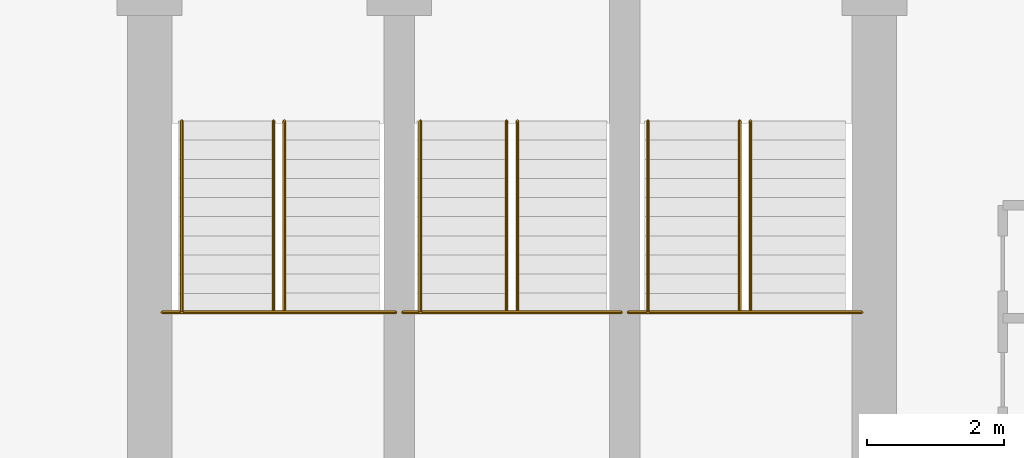
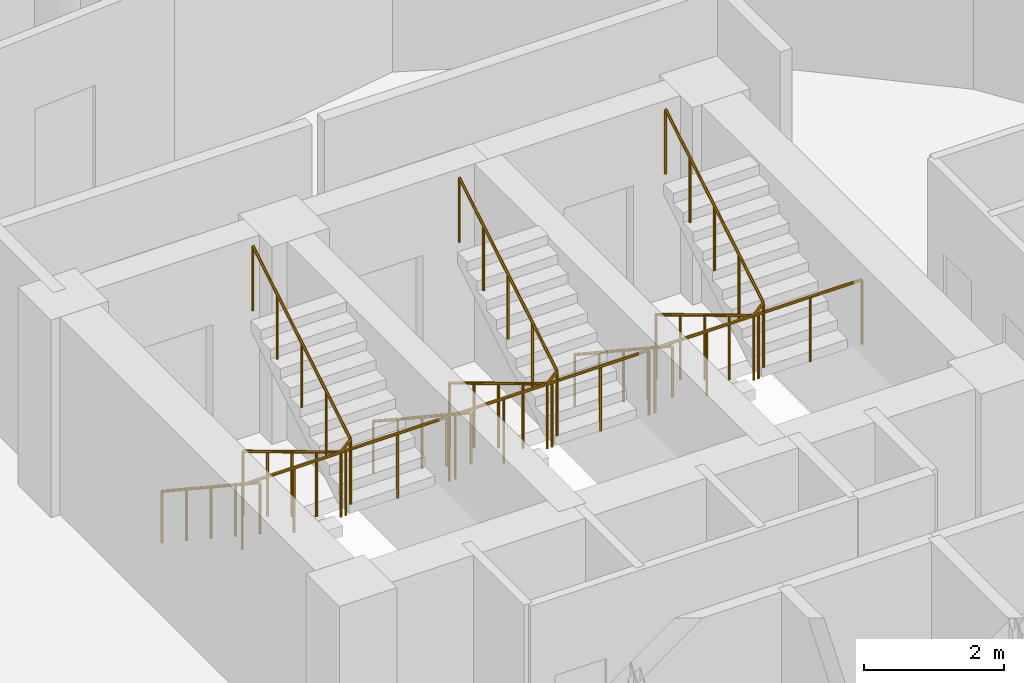
# One storey, part 26 of 26: 9 railings.
"""IFC4 building model written with IfcOpenShell, lengths in metres."""

from ifc_helpers import new_model, si_unit, direction, frame, origin, place, context, subcontext, project, spatial, polyline, outline, extrude, material, type_object, element, save


model = new_model("IFC4")

# Units and contexts
model_context = context("Model", 3, precision=1e-05, world=origin(), true_north=direction((0.0, 1.0)))
body_context = subcontext(model_context, "Body", "Model", "MODEL_VIEW")
ifc_project = project(units=[si_unit("LENGTHUNIT", "METRE"), si_unit("AREAUNIT", "SQUARE_METRE"), si_unit("VOLUMEUNIT", "CUBIC_METRE"), si_unit("PLANEANGLEUNIT", "RADIAN"), si_unit("MASSUNIT", "GRAM", prefix="KILO")], contexts=[model_context])

# Site, building, storey
site_placement = place(None, origin())
site = spatial("IfcSite", under=ifc_project, at=site_placement, CompositionType="ELEMENT")
building_placement = place(site_placement, origin())
building = spatial("IfcBuilding", under=site, at=building_placement, Name="Nuhasar Tower", CompositionType="ELEMENT")
storey_placement = place(building_placement, frame((0.0, 0.0, 162.64990234375)))
storey = spatial("IfcBuildingStorey", under=building, at=storey_placement, Name="L39", CompositionType="ELEMENT", Elevation=162.64990234375)

# Railings
ifc_material_1 = material(Name="Steel S355", Category="steel")
railing_type_1 = type_object("IfcRailingType", Name="RLG-STAIR-GUARD-1150", PredefinedType="GUARDRAIL", material=ifc_material_1)
railing_1_placement = place(storey_placement, frame((33.8798828125, 32.485107421875, 1.85009765625)))
element("IfcRailing", 1, at=railing_1_placement, inside=storey, type_object=railing_type_1, Name="L39 Stair ST-01 Guardrail LND", PredefinedType="GUARDRAIL", context=body_context, shape_type="SweptSolid", body=[
    extrude(outline(polyline([(0.024169921875, 0.0), (0.01708984375, 0.01708984375), (0.0, 0.024169921875), (-0.01708984375, 0.01708984375), (-0.024169921875, 0.0), (-0.01708984375, -0.01708984375), (0.0, -0.024169921875), (0.01708984375, -0.01708984375), (0.024169921875, 0.0)])), frame((0.0, 0.0, 1.1259765625), z_axis=(1.0, 0.0, 0.0), x_axis=(0.0, 1.0, 0.0)), (0.0, 0.0, 1.0), 3.420166015625),
    extrude(outline(polyline([(0.02099609375, 0.0), (0.014892578125, 0.014892578125), (0.0, 0.02099609375), (-0.014892578125, 0.014892578125), (-0.02099609375, 0.0), (-0.014892578125, -0.014892578125), (0.0, -0.02099609375), (0.014892578125, -0.014892578125), (0.02099609375, 0.0)])), origin(), (0.0, 0.0, 1.0), 1.101806640625),
    extrude(outline(polyline([(0.02099609375, 0.0), (0.014892578125, 0.014892578125), (0.0, 0.02099609375), (-0.014892578125, 0.014892578125), (-0.02099609375, 0.0), (-0.014892578125, -0.014892578125), (0.0, -0.02099609375), (0.014892578125, -0.014892578125), (0.02099609375, 0.0)])), frame((0.85498046875, 0.0, 0.0)), (0.0, 0.0, 1.0), 1.101806640625),
    extrude(outline(polyline([(0.02099609375, 0.0), (0.014892578125, 0.014892578125), (0.0, 0.02099609375), (-0.014892578125, 0.014892578125), (-0.02099609375, 0.0), (-0.014892578125, -0.014892578125), (0.0, -0.02099609375), (0.014892578125, -0.014892578125), (0.02099609375, 0.0)])), frame((1.7099609375, 0.0, 0.0)), (0.0, 0.0, 1.0), 1.101806640625),
    extrude(outline(polyline([(0.02099609375, 0.0), (0.014892578125, 0.014892578125), (0.0, 0.02099609375), (-0.014892578125, 0.014892578125), (-0.02099609375, 0.0), (-0.014892578125, -0.014892578125), (0.0, -0.02099609375), (0.014892578125, -0.014892578125), (0.02099609375, 0.0)])), frame((2.565185546875, 0.0, 0.0)), (0.0, 0.0, 1.0), 1.101806640625),
    extrude(outline(polyline([(0.02099609375, 0.0), (0.014892578125, 0.014892578125), (0.0, 0.02099609375), (-0.014892578125, 0.014892578125), (-0.02099609375, 0.0), (-0.014892578125, -0.014892578125), (0.0, -0.02099609375), (0.014892578125, -0.014892578125), (0.02099609375, 0.0)])), frame((3.420166015625, 0.0, 0.0)), (0.0, 0.0, 1.0), 1.101806640625),
])
railing_2_placement = place(storey_placement, frame((35.510009765625, 35.284912109375, 0.168212890625)))
element("IfcRailing", 2, at=railing_2_placement, inside=storey, type_object=railing_type_1, Name="L39 Stair ST-01 Guardrail SLT", PredefinedType="GUARDRAIL", context=body_context, shape_type="SweptSolid", body=[
    extrude(outline(polyline([(0.024169921875, 0.0), (0.01708984375, 0.01708984375), (0.0, 0.024169921875), (-0.01708984375, 0.01708984375), (-0.024169921875, 0.0), (-0.01708984375, -0.01708984375), (0.0, -0.024169921875), (0.01708984375, -0.01708984375), (0.024169921875, 0.0)])), frame((0.0, 0.0, 1.1259765625), z_axis=(0.0, -0.857222391501, 0.514946377315), x_axis=(1.0, 0.0, 0.0)), (0.0, 0.0, 1.0), 3.26611328125),
    extrude(outline(polyline([(0.024169921875, 0.0), (0.01708984375, 0.01708984375), (0.0, 0.024169921875), (-0.01708984375, 0.01708984375), (-0.024169921875, 0.0), (-0.01708984375, -0.01708984375), (0.0, -0.024169921875), (0.01708984375, -0.01708984375), (0.024169921875, 0.0)])), frame((0.0, -2.7998046875, 2.8076171875), z_axis=(0.689523729023, 0.0, 0.72426309247), x_axis=(0.0, 1.0, 0.0)), (0.0, 0.0, 1.0), 0.23193359375),
    extrude(outline(polyline([(0.024169921875, 0.0), (0.01708984375, 0.01708984375), (0.0, 0.024169921875), (-0.01708984375, 0.01708984375), (-0.024169921875, 0.0), (-0.01708984375, -0.01708984375), (0.0, -0.024169921875), (0.01708984375, -0.01708984375), (0.024169921875, 0.0)])), frame((0.159912109375, -2.7998046875, 2.9755859375), z_axis=(0.0, 0.857189395008, 0.515001302023), x_axis=(-1.0, 0.0, 0.0)), (0.0, 0.0, 1.0), 3.266357421875),
    extrude(outline(polyline([(0.02099609375, 0.0), (0.014892578125, 0.014892578125), (0.0, 0.02099609375), (-0.014892578125, 0.014892578125), (-0.02099609375, 0.0), (-0.014892578125, -0.014892578125), (0.0, -0.02099609375), (0.014892578125, -0.014892578125), (0.02099609375, 0.0)])), origin(), (0.0, 0.0, 1.0), 1.101806640625),
    extrude(outline(polyline([(0.02099609375, 0.0), (0.014892578125, 0.014892578125), (0.0, 0.02099609375), (-0.014892578125, 0.014892578125), (-0.02099609375, 0.0), (-0.014892578125, -0.014892578125), (0.0, -0.02099609375), (0.014892578125, -0.014892578125), (0.02099609375, 0.0)])), frame((0.0, -0.699951171875, 0.42041015625)), (0.0, 0.0, 1.0), 1.101806640625),
    extrude(outline(polyline([(0.02099609375, 0.0), (0.014892578125, 0.014892578125), (0.0, 0.02099609375), (-0.014892578125, 0.014892578125), (-0.02099609375, 0.0), (-0.014892578125, -0.014892578125), (0.0, -0.02099609375), (0.014892578125, -0.014892578125), (0.02099609375, 0.0)])), frame((0.0, -1.39990234375, 0.8408203125)), (0.0, 0.0, 1.0), 1.101806640625),
    extrude(outline(polyline([(0.02099609375, 0.0), (0.014892578125, 0.014892578125), (0.0, 0.02099609375), (-0.014892578125, 0.014892578125), (-0.02099609375, 0.0), (-0.014892578125, -0.014892578125), (0.0, -0.02099609375), (0.014892578125, -0.014892578125), (0.02099609375, 0.0)])), frame((0.0, -2.099853515625, 1.261474609375)), (0.0, 0.0, 1.0), 1.101806640625),
    extrude(outline(polyline([(0.02099609375, 0.0), (0.014892578125, 0.014892578125), (0.0, 0.02099609375), (-0.014892578125, 0.014892578125), (-0.02099609375, 0.0), (-0.014892578125, -0.014892578125), (0.0, -0.02099609375), (0.014892578125, -0.014892578125), (0.02099609375, 0.0)])), frame((0.0, -2.7998046875, 1.681884765625)), (0.0, 0.0, 1.0), 1.101806640625),
    extrude(outline(polyline([(0.02099609375, 0.0), (0.014892578125, 0.014892578125), (0.0, 0.02099609375), (-0.014892578125, 0.014892578125), (-0.02099609375, 0.0), (-0.014892578125, -0.014892578125), (0.0, -0.02099609375), (0.014892578125, -0.014892578125), (0.02099609375, 0.0)])), frame((0.159912109375, -2.7998046875, 1.849853515625)), (0.0, 0.0, 1.0), 1.101806640625),
    extrude(outline(polyline([(0.02099609375, 0.0), (0.014892578125, 0.014892578125), (0.0, 0.02099609375), (-0.014892578125, 0.014892578125), (-0.02099609375, 0.0), (-0.014892578125, -0.014892578125), (0.0, -0.02099609375), (0.014892578125, -0.014892578125), (0.02099609375, 0.0)])), frame((0.159912109375, -2.099853515625, 2.2705078125)), (0.0, 0.0, 1.0), 1.101806640625),
    extrude(outline(polyline([(0.02099609375, 0.0), (0.014892578125, 0.014892578125), (0.0, 0.02099609375), (-0.014892578125, 0.014892578125), (-0.02099609375, 0.0), (-0.014892578125, -0.014892578125), (0.0, -0.02099609375), (0.014892578125, -0.014892578125), (0.02099609375, 0.0)])), frame((0.159912109375, -1.39990234375, 2.69091796875)), (0.0, 0.0, 1.0), 1.101806640625),
    extrude(outline(polyline([(0.02099609375, 0.0), (0.014892578125, 0.014892578125), (0.0, 0.02099609375), (-0.014892578125, 0.014892578125), (-0.02099609375, 0.0), (-0.014892578125, -0.014892578125), (0.0, -0.02099609375), (0.014892578125, -0.014892578125), (0.02099609375, 0.0)])), frame((0.159912109375, -0.699951171875, 3.111328125)), (0.0, 0.0, 1.0), 1.101806640625),
    extrude(outline(polyline([(0.02099609375, 0.0), (0.014892578125, 0.014892578125), (0.0, 0.02099609375), (-0.014892578125, 0.014892578125), (-0.02099609375, 0.0), (-0.014892578125, -0.014892578125), (0.0, -0.02099609375), (0.014892578125, -0.014892578125), (0.02099609375, 0.0)])), frame((0.159912109375, 0.0, 3.531982421875)), (0.0, 0.0, 1.0), 1.101806640625),
])
railing_3_placement = place(storey_placement, frame((37.39990234375, 32.485107421875, 1.85009765625)))
element("IfcRailing", 3, at=railing_3_placement, inside=storey, type_object=railing_type_1, Name="L39 Stair ST-03 Guardrail LND", PredefinedType="GUARDRAIL", context=body_context, shape_type="SweptSolid", body=[
    extrude(outline(polyline([(0.024169921875, 0.0), (0.01708984375, 0.01708984375), (0.0, 0.024169921875), (-0.01708984375, 0.01708984375), (-0.024169921875, 0.0), (-0.01708984375, -0.01708984375), (0.0, -0.024169921875), (0.01708984375, -0.01708984375), (0.024169921875, 0.0)])), frame((0.0, 0.0, 1.1259765625), z_axis=(1.0, 0.0, 0.0), x_axis=(0.0, 1.0, 0.0)), (0.0, 0.0, 1.0), 3.2001953125),
    extrude(outline(polyline([(0.02099609375, 0.0), (0.014892578125, 0.014892578125), (0.0, 0.02099609375), (-0.014892578125, 0.014892578125), (-0.02099609375, 0.0), (-0.014892578125, -0.014892578125), (0.0, -0.02099609375), (0.014892578125, -0.014892578125), (0.02099609375, 0.0)])), origin(), (0.0, 0.0, 1.0), 1.101806640625),
    extrude(outline(polyline([(0.02099609375, 0.0), (0.014892578125, 0.014892578125), (0.0, 0.02099609375), (-0.014892578125, 0.014892578125), (-0.02099609375, 0.0), (-0.014892578125, -0.014892578125), (0.0, -0.02099609375), (0.014892578125, -0.014892578125), (0.02099609375, 0.0)])), frame((0.800048828125, 0.0, 0.0)), (0.0, 0.0, 1.0), 1.101806640625),
    extrude(outline(polyline([(0.02099609375, 0.0), (0.014892578125, 0.014892578125), (0.0, 0.02099609375), (-0.014892578125, 0.014892578125), (-0.02099609375, 0.0), (-0.014892578125, -0.014892578125), (0.0, -0.02099609375), (0.014892578125, -0.014892578125), (0.02099609375, 0.0)])), frame((1.60009765625, 0.0, 0.0)), (0.0, 0.0, 1.0), 1.101806640625),
    extrude(outline(polyline([(0.02099609375, 0.0), (0.014892578125, 0.014892578125), (0.0, 0.02099609375), (-0.014892578125, 0.014892578125), (-0.02099609375, 0.0), (-0.014892578125, -0.014892578125), (0.0, -0.02099609375), (0.014892578125, -0.014892578125), (0.02099609375, 0.0)])), frame((2.400146484375, 0.0, 0.0)), (0.0, 0.0, 1.0), 1.101806640625),
    extrude(outline(polyline([(0.02099609375, 0.0), (0.014892578125, 0.014892578125), (0.0, 0.02099609375), (-0.014892578125, 0.014892578125), (-0.02099609375, 0.0), (-0.014892578125, -0.014892578125), (0.0, -0.02099609375), (0.014892578125, -0.014892578125), (0.02099609375, 0.0)])), frame((3.2001953125, 0.0, 0.0)), (0.0, 0.0, 1.0), 1.101806640625),
])
railing_4_placement = place(storey_placement, frame((38.919921875, 35.284912109375, 0.168212890625)))
element("IfcRailing", 4, at=railing_4_placement, inside=storey, type_object=railing_type_1, Name="L39 Stair ST-03 Guardrail SLT", PredefinedType="GUARDRAIL", context=body_context, shape_type="SweptSolid", body=[
    extrude(outline(polyline([(0.024169921875, 0.0), (0.01708984375, 0.01708984375), (0.0, 0.024169921875), (-0.01708984375, 0.01708984375), (-0.024169921875, 0.0), (-0.01708984375, -0.01708984375), (0.0, -0.024169921875), (0.01708984375, -0.01708984375), (0.024169921875, 0.0)])), frame((0.0, 0.0, 1.1259765625), z_axis=(0.0, -0.857222391501, 0.514946377315), x_axis=(1.0, 0.0, 0.0)), (0.0, 0.0, 1.0), 3.26611328125),
    extrude(outline(polyline([(0.024169921875, 0.0), (0.01708984375, 0.01708984375), (0.0, 0.024169921875), (-0.01708984375, 0.01708984375), (-0.024169921875, 0.0), (-0.01708984375, -0.01708984375), (0.0, -0.024169921875), (0.01708984375, -0.01708984375), (0.024169921875, 0.0)])), frame((0.0, -2.7998046875, 2.8076171875), z_axis=(0.690075333573, 0.0, 0.723737544967), x_axis=(0.0, 1.0, 0.0)), (0.0, 0.0, 1.0), 0.232177734375),
    extrude(outline(polyline([(0.024169921875, 0.0), (0.01708984375, 0.01708984375), (0.0, 0.024169921875), (-0.01708984375, 0.01708984375), (-0.024169921875, 0.0), (-0.01708984375, -0.01708984375), (0.0, -0.024169921875), (0.01708984375, -0.01708984375), (0.024169921875, 0.0)])), frame((0.16015625, -2.7998046875, 2.9755859375), z_axis=(0.0, 0.857189395008, 0.515001302023), x_axis=(-1.0, 0.0, 0.0)), (0.0, 0.0, 1.0), 3.266357421875),
    extrude(outline(polyline([(0.02099609375, 0.0), (0.014892578125, 0.014892578125), (0.0, 0.02099609375), (-0.014892578125, 0.014892578125), (-0.02099609375, 0.0), (-0.014892578125, -0.014892578125), (0.0, -0.02099609375), (0.014892578125, -0.014892578125), (0.02099609375, 0.0)])), origin(), (0.0, 0.0, 1.0), 1.101806640625),
    extrude(outline(polyline([(0.02099609375, 0.0), (0.014892578125, 0.014892578125), (0.0, 0.02099609375), (-0.014892578125, 0.014892578125), (-0.02099609375, 0.0), (-0.014892578125, -0.014892578125), (0.0, -0.02099609375), (0.014892578125, -0.014892578125), (0.02099609375, 0.0)])), frame((0.0, -0.699951171875, 0.42041015625)), (0.0, 0.0, 1.0), 1.101806640625),
    extrude(outline(polyline([(0.02099609375, 0.0), (0.014892578125, 0.014892578125), (0.0, 0.02099609375), (-0.014892578125, 0.014892578125), (-0.02099609375, 0.0), (-0.014892578125, -0.014892578125), (0.0, -0.02099609375), (0.014892578125, -0.014892578125), (0.02099609375, 0.0)])), frame((0.0, -1.39990234375, 0.8408203125)), (0.0, 0.0, 1.0), 1.101806640625),
    extrude(outline(polyline([(0.02099609375, 0.0), (0.014892578125, 0.014892578125), (0.0, 0.02099609375), (-0.014892578125, 0.014892578125), (-0.02099609375, 0.0), (-0.014892578125, -0.014892578125), (0.0, -0.02099609375), (0.014892578125, -0.014892578125), (0.02099609375, 0.0)])), frame((0.0, -2.099853515625, 1.261474609375)), (0.0, 0.0, 1.0), 1.101806640625),
    extrude(outline(polyline([(0.02099609375, 0.0), (0.014892578125, 0.014892578125), (0.0, 0.02099609375), (-0.014892578125, 0.014892578125), (-0.02099609375, 0.0), (-0.014892578125, -0.014892578125), (0.0, -0.02099609375), (0.014892578125, -0.014892578125), (0.02099609375, 0.0)])), frame((0.0, -2.7998046875, 1.681884765625)), (0.0, 0.0, 1.0), 1.101806640625),
    extrude(outline(polyline([(0.02099609375, 0.0), (0.014892578125, 0.014892578125), (0.0, 0.02099609375), (-0.014892578125, 0.014892578125), (-0.02099609375, 0.0), (-0.014892578125, -0.014892578125), (0.0, -0.02099609375), (0.014892578125, -0.014892578125), (0.02099609375, 0.0)])), frame((0.16015625, -2.7998046875, 1.849853515625)), (0.0, 0.0, 1.0), 1.101806640625),
    extrude(outline(polyline([(0.02099609375, 0.0), (0.014892578125, 0.014892578125), (0.0, 0.02099609375), (-0.014892578125, 0.014892578125), (-0.02099609375, 0.0), (-0.014892578125, -0.014892578125), (0.0, -0.02099609375), (0.014892578125, -0.014892578125), (0.02099609375, 0.0)])), frame((0.16015625, -2.099853515625, 2.2705078125)), (0.0, 0.0, 1.0), 1.101806640625),
    extrude(outline(polyline([(0.02099609375, 0.0), (0.014892578125, 0.014892578125), (0.0, 0.02099609375), (-0.014892578125, 0.014892578125), (-0.02099609375, 0.0), (-0.014892578125, -0.014892578125), (0.0, -0.02099609375), (0.014892578125, -0.014892578125), (0.02099609375, 0.0)])), frame((0.16015625, -1.39990234375, 2.69091796875)), (0.0, 0.0, 1.0), 1.101806640625),
    extrude(outline(polyline([(0.02099609375, 0.0), (0.014892578125, 0.014892578125), (0.0, 0.02099609375), (-0.014892578125, 0.014892578125), (-0.02099609375, 0.0), (-0.014892578125, -0.014892578125), (0.0, -0.02099609375), (0.014892578125, -0.014892578125), (0.02099609375, 0.0)])), frame((0.16015625, -0.699951171875, 3.111328125)), (0.0, 0.0, 1.0), 1.101806640625),
    extrude(outline(polyline([(0.02099609375, 0.0), (0.014892578125, 0.014892578125), (0.0, 0.02099609375), (-0.014892578125, 0.014892578125), (-0.02099609375, 0.0), (-0.014892578125, -0.014892578125), (0.0, -0.02099609375), (0.014892578125, -0.014892578125), (0.02099609375, 0.0)])), frame((0.16015625, 0.0, 3.531982421875)), (0.0, 0.0, 1.0), 1.101806640625),
])
railing_5_placement = place(storey_placement, frame((40.699951171875, 32.485107421875, 1.85009765625)))
element("IfcRailing", 5, at=railing_5_placement, inside=storey, type_object=railing_type_1, Name="L39 Stair ST-02 Guardrail LND", PredefinedType="GUARDRAIL", context=body_context, shape_type="SweptSolid", body=[
    extrude(outline(polyline([(0.024169921875, 0.0), (0.01708984375, 0.01708984375), (0.0, 0.024169921875), (-0.01708984375, 0.01708984375), (-0.024169921875, 0.0), (-0.01708984375, -0.01708984375), (0.0, -0.024169921875), (0.01708984375, -0.01708984375), (0.024169921875, 0.0)])), frame((0.0, 0.0, 1.1259765625), z_axis=(1.0, 0.0, 0.0), x_axis=(0.0, 1.0, 0.0)), (0.0, 0.0, 1.0), 3.420166015625),
    extrude(outline(polyline([(0.02099609375, 0.0), (0.014892578125, 0.014892578125), (0.0, 0.02099609375), (-0.014892578125, 0.014892578125), (-0.02099609375, 0.0), (-0.014892578125, -0.014892578125), (0.0, -0.02099609375), (0.014892578125, -0.014892578125), (0.02099609375, 0.0)])), origin(), (0.0, 0.0, 1.0), 1.101806640625),
    extrude(outline(polyline([(0.02099609375, 0.0), (0.014892578125, 0.014892578125), (0.0, 0.02099609375), (-0.014892578125, 0.014892578125), (-0.02099609375, 0.0), (-0.014892578125, -0.014892578125), (0.0, -0.02099609375), (0.014892578125, -0.014892578125), (0.02099609375, 0.0)])), frame((0.85498046875, 0.0, 0.0)), (0.0, 0.0, 1.0), 1.101806640625),
    extrude(outline(polyline([(0.02099609375, 0.0), (0.014892578125, 0.014892578125), (0.0, 0.02099609375), (-0.014892578125, 0.014892578125), (-0.02099609375, 0.0), (-0.014892578125, -0.014892578125), (0.0, -0.02099609375), (0.014892578125, -0.014892578125), (0.02099609375, 0.0)])), frame((1.7099609375, 0.0, 0.0)), (0.0, 0.0, 1.0), 1.101806640625),
    extrude(outline(polyline([(0.02099609375, 0.0), (0.014892578125, 0.014892578125), (0.0, 0.02099609375), (-0.014892578125, 0.014892578125), (-0.02099609375, 0.0), (-0.014892578125, -0.014892578125), (0.0, -0.02099609375), (0.014892578125, -0.014892578125), (0.02099609375, 0.0)])), frame((2.565185546875, 0.0, 0.0)), (0.0, 0.0, 1.0), 1.101806640625),
    extrude(outline(polyline([(0.02099609375, 0.0), (0.014892578125, 0.014892578125), (0.0, 0.02099609375), (-0.014892578125, 0.014892578125), (-0.02099609375, 0.0), (-0.014892578125, -0.014892578125), (0.0, -0.02099609375), (0.014892578125, -0.014892578125), (0.02099609375, 0.0)])), frame((3.420166015625, 0.0, 0.0)), (0.0, 0.0, 1.0), 1.101806640625),
])
railing_6_placement = place(storey_placement, frame((42.330078125, 35.284912109375, 0.168212890625)))
element("IfcRailing", 6, at=railing_6_placement, inside=storey, type_object=railing_type_1, Name="L39 Stair ST-02 Guardrail SLT", PredefinedType="GUARDRAIL", context=body_context, shape_type="SweptSolid", body=[
    extrude(outline(polyline([(0.024169921875, 0.0), (0.01708984375, 0.01708984375), (0.0, 0.024169921875), (-0.01708984375, 0.01708984375), (-0.024169921875, 0.0), (-0.01708984375, -0.01708984375), (0.0, -0.024169921875), (0.01708984375, -0.01708984375), (0.024169921875, 0.0)])), frame((0.0, 0.0, 1.1259765625), z_axis=(0.0, -0.857222391501, 0.514946377315), x_axis=(1.0, 0.0, 0.0)), (0.0, 0.0, 1.0), 3.26611328125),
    extrude(outline(polyline([(0.024169921875, 0.0), (0.01708984375, 0.01708984375), (0.0, 0.024169921875), (-0.01708984375, 0.01708984375), (-0.024169921875, 0.0), (-0.01708984375, -0.01708984375), (0.0, -0.024169921875), (0.01708984375, -0.01708984375), (0.024169921875, 0.0)])), frame((0.0, -2.7998046875, 2.8076171875), z_axis=(0.689523729023, 0.0, 0.72426309247), x_axis=(0.0, 1.0, 0.0)), (0.0, 0.0, 1.0), 0.23193359375),
    extrude(outline(polyline([(0.024169921875, 0.0), (0.01708984375, 0.01708984375), (0.0, 0.024169921875), (-0.01708984375, 0.01708984375), (-0.024169921875, 0.0), (-0.01708984375, -0.01708984375), (0.0, -0.024169921875), (0.01708984375, -0.01708984375), (0.024169921875, 0.0)])), frame((0.159912109375, -2.7998046875, 2.9755859375), z_axis=(0.0, 0.857189395008, 0.515001302023), x_axis=(-1.0, 0.0, 0.0)), (0.0, 0.0, 1.0), 3.266357421875),
    extrude(outline(polyline([(0.02099609375, 0.0), (0.014892578125, 0.014892578125), (0.0, 0.02099609375), (-0.014892578125, 0.014892578125), (-0.02099609375, 0.0), (-0.014892578125, -0.014892578125), (0.0, -0.02099609375), (0.014892578125, -0.014892578125), (0.02099609375, 0.0)])), origin(), (0.0, 0.0, 1.0), 1.101806640625),
    extrude(outline(polyline([(0.02099609375, 0.0), (0.014892578125, 0.014892578125), (0.0, 0.02099609375), (-0.014892578125, 0.014892578125), (-0.02099609375, 0.0), (-0.014892578125, -0.014892578125), (0.0, -0.02099609375), (0.014892578125, -0.014892578125), (0.02099609375, 0.0)])), frame((0.0, -0.699951171875, 0.42041015625)), (0.0, 0.0, 1.0), 1.101806640625),
    extrude(outline(polyline([(0.02099609375, 0.0), (0.014892578125, 0.014892578125), (0.0, 0.02099609375), (-0.014892578125, 0.014892578125), (-0.02099609375, 0.0), (-0.014892578125, -0.014892578125), (0.0, -0.02099609375), (0.014892578125, -0.014892578125), (0.02099609375, 0.0)])), frame((0.0, -1.39990234375, 0.8408203125)), (0.0, 0.0, 1.0), 1.101806640625),
    extrude(outline(polyline([(0.02099609375, 0.0), (0.014892578125, 0.014892578125), (0.0, 0.02099609375), (-0.014892578125, 0.014892578125), (-0.02099609375, 0.0), (-0.014892578125, -0.014892578125), (0.0, -0.02099609375), (0.014892578125, -0.014892578125), (0.02099609375, 0.0)])), frame((0.0, -2.099853515625, 1.261474609375)), (0.0, 0.0, 1.0), 1.101806640625),
    extrude(outline(polyline([(0.02099609375, 0.0), (0.014892578125, 0.014892578125), (0.0, 0.02099609375), (-0.014892578125, 0.014892578125), (-0.02099609375, 0.0), (-0.014892578125, -0.014892578125), (0.0, -0.02099609375), (0.014892578125, -0.014892578125), (0.02099609375, 0.0)])), frame((0.0, -2.7998046875, 1.681884765625)), (0.0, 0.0, 1.0), 1.101806640625),
    extrude(outline(polyline([(0.02099609375, 0.0), (0.014892578125, 0.014892578125), (0.0, 0.02099609375), (-0.014892578125, 0.014892578125), (-0.02099609375, 0.0), (-0.014892578125, -0.014892578125), (0.0, -0.02099609375), (0.014892578125, -0.014892578125), (0.02099609375, 0.0)])), frame((0.159912109375, -2.7998046875, 1.849853515625)), (0.0, 0.0, 1.0), 1.101806640625),
    extrude(outline(polyline([(0.02099609375, 0.0), (0.014892578125, 0.014892578125), (0.0, 0.02099609375), (-0.014892578125, 0.014892578125), (-0.02099609375, 0.0), (-0.014892578125, -0.014892578125), (0.0, -0.02099609375), (0.014892578125, -0.014892578125), (0.02099609375, 0.0)])), frame((0.159912109375, -2.099853515625, 2.2705078125)), (0.0, 0.0, 1.0), 1.101806640625),
    extrude(outline(polyline([(0.02099609375, 0.0), (0.014892578125, 0.014892578125), (0.0, 0.02099609375), (-0.014892578125, 0.014892578125), (-0.02099609375, 0.0), (-0.014892578125, -0.014892578125), (0.0, -0.02099609375), (0.014892578125, -0.014892578125), (0.02099609375, 0.0)])), frame((0.159912109375, -1.39990234375, 2.69091796875)), (0.0, 0.0, 1.0), 1.101806640625),
    extrude(outline(polyline([(0.02099609375, 0.0), (0.014892578125, 0.014892578125), (0.0, 0.02099609375), (-0.014892578125, 0.014892578125), (-0.02099609375, 0.0), (-0.014892578125, -0.014892578125), (0.0, -0.02099609375), (0.014892578125, -0.014892578125), (0.02099609375, 0.0)])), frame((0.159912109375, -0.699951171875, 3.111328125)), (0.0, 0.0, 1.0), 1.101806640625),
    extrude(outline(polyline([(0.02099609375, 0.0), (0.014892578125, 0.014892578125), (0.0, 0.02099609375), (-0.014892578125, 0.014892578125), (-0.02099609375, 0.0), (-0.014892578125, -0.014892578125), (0.0, -0.02099609375), (0.014892578125, -0.014892578125), (0.02099609375, 0.0)])), frame((0.159912109375, 0.0, 3.531982421875)), (0.0, 0.0, 1.0), 1.101806640625),
])
ifc_material_2 = material(Name="Stainless Steel 316L", Category="steel")
railing_type_2 = type_object("IfcRailingType", Name="RLG-STAIR-HAND-920", PredefinedType="HANDRAIL", material=ifc_material_2)
railing_7_placement = place(storey_placement, frame((34.169921875, 35.284912109375, 0.168212890625)))
element("IfcRailing", 7, at=railing_7_placement, inside=storey, type_object=railing_type_2, Name="L39 Stair ST-01 Handrail HND1", PredefinedType="HANDRAIL", context=body_context, shape_type="SweptSolid", body=[
    extrude(outline(polyline([(0.024169921875, 0.0), (0.01708984375, 0.01708984375), (0.0, 0.024169921875), (-0.01708984375, 0.01708984375), (-0.024169921875, 0.0), (-0.01708984375, -0.01708984375), (0.0, -0.024169921875), (0.01708984375, -0.01708984375), (0.024169921875, 0.0)])), frame((0.0, 0.0, 0.89599609375), z_axis=(0.0, -0.834337710781, 0.551253647941), x_axis=(1.0, 0.0, 0.0)), (0.0, 0.0, 1.0), 3.355712890625),
    extrude(outline(polyline([(0.02099609375, 0.0), (0.014892578125, 0.014892578125), (0.0, 0.02099609375), (-0.014892578125, 0.014892578125), (-0.02099609375, 0.0), (-0.014892578125, -0.014892578125), (0.0, -0.02099609375), (0.014892578125, -0.014892578125), (0.02099609375, 0.0)])), origin(), (0.0, 0.0, 1.0), 0.871826171875),
    extrude(outline(polyline([(0.02099609375, 0.0), (0.014892578125, 0.014892578125), (0.0, 0.02099609375), (-0.014892578125, 0.014892578125), (-0.02099609375, 0.0), (-0.014892578125, -0.014892578125), (0.0, -0.02099609375), (0.014892578125, -0.014892578125), (0.02099609375, 0.0)])), frame((0.0, -0.699951171875, 0.46240234375)), (0.0, 0.0, 1.0), 0.871826171875),
    extrude(outline(polyline([(0.02099609375, 0.0), (0.014892578125, 0.014892578125), (0.0, 0.02099609375), (-0.014892578125, 0.014892578125), (-0.02099609375, 0.0), (-0.014892578125, -0.014892578125), (0.0, -0.02099609375), (0.014892578125, -0.014892578125), (0.02099609375, 0.0)])), frame((0.0, -1.39990234375, 0.9248046875)), (0.0, 0.0, 1.0), 0.871826171875),
    extrude(outline(polyline([(0.02099609375, 0.0), (0.014892578125, 0.014892578125), (0.0, 0.02099609375), (-0.014892578125, 0.014892578125), (-0.02099609375, 0.0), (-0.014892578125, -0.014892578125), (0.0, -0.02099609375), (0.014892578125, -0.014892578125), (0.02099609375, 0.0)])), frame((0.0, -2.099853515625, 1.387451171875)), (0.0, 0.0, 1.0), 0.871826171875),
    extrude(outline(polyline([(0.02099609375, 0.0), (0.014892578125, 0.014892578125), (0.0, 0.02099609375), (-0.014892578125, 0.014892578125), (-0.02099609375, 0.0), (-0.014892578125, -0.014892578125), (0.0, -0.02099609375), (0.014892578125, -0.014892578125), (0.02099609375, 0.0)])), frame((0.0, -2.7998046875, 1.849853515625)), (0.0, 0.0, 1.0), 0.871826171875),
])
railing_8_placement = place(storey_placement, frame((37.659912109375, 35.284912109375, 0.168212890625)))
element("IfcRailing", 8, at=railing_8_placement, inside=storey, type_object=railing_type_2, Name="L39 Stair ST-03 Handrail HND1", PredefinedType="HANDRAIL", context=body_context, shape_type="SweptSolid", body=[
    extrude(outline(polyline([(0.024169921875, 0.0), (0.01708984375, 0.01708984375), (0.0, 0.024169921875), (-0.01708984375, 0.01708984375), (-0.024169921875, 0.0), (-0.01708984375, -0.01708984375), (0.0, -0.024169921875), (0.01708984375, -0.01708984375), (0.024169921875, 0.0)])), frame((0.0, 0.0, 0.89599609375), z_axis=(0.0, -0.834337710781, 0.551253647941), x_axis=(1.0, 0.0, 0.0)), (0.0, 0.0, 1.0), 3.355712890625),
    extrude(outline(polyline([(0.02099609375, 0.0), (0.014892578125, 0.014892578125), (0.0, 0.02099609375), (-0.014892578125, 0.014892578125), (-0.02099609375, 0.0), (-0.014892578125, -0.014892578125), (0.0, -0.02099609375), (0.014892578125, -0.014892578125), (0.02099609375, 0.0)])), origin(), (0.0, 0.0, 1.0), 0.871826171875),
    extrude(outline(polyline([(0.02099609375, 0.0), (0.014892578125, 0.014892578125), (0.0, 0.02099609375), (-0.014892578125, 0.014892578125), (-0.02099609375, 0.0), (-0.014892578125, -0.014892578125), (0.0, -0.02099609375), (0.014892578125, -0.014892578125), (0.02099609375, 0.0)])), frame((0.0, -0.699951171875, 0.46240234375)), (0.0, 0.0, 1.0), 0.871826171875),
    extrude(outline(polyline([(0.02099609375, 0.0), (0.014892578125, 0.014892578125), (0.0, 0.02099609375), (-0.014892578125, 0.014892578125), (-0.02099609375, 0.0), (-0.014892578125, -0.014892578125), (0.0, -0.02099609375), (0.014892578125, -0.014892578125), (0.02099609375, 0.0)])), frame((0.0, -1.39990234375, 0.9248046875)), (0.0, 0.0, 1.0), 0.871826171875),
    extrude(outline(polyline([(0.02099609375, 0.0), (0.014892578125, 0.014892578125), (0.0, 0.02099609375), (-0.014892578125, 0.014892578125), (-0.02099609375, 0.0), (-0.014892578125, -0.014892578125), (0.0, -0.02099609375), (0.014892578125, -0.014892578125), (0.02099609375, 0.0)])), frame((0.0, -2.099853515625, 1.387451171875)), (0.0, 0.0, 1.0), 0.871826171875),
    extrude(outline(polyline([(0.02099609375, 0.0), (0.014892578125, 0.014892578125), (0.0, 0.02099609375), (-0.014892578125, 0.014892578125), (-0.02099609375, 0.0), (-0.014892578125, -0.014892578125), (0.0, -0.02099609375), (0.014892578125, -0.014892578125), (0.02099609375, 0.0)])), frame((0.0, -2.7998046875, 1.849853515625)), (0.0, 0.0, 1.0), 0.871826171875),
])
railing_9_placement = place(storey_placement, frame((40.989990234375, 35.284912109375, 0.168212890625)))
element("IfcRailing", 9, at=railing_9_placement, inside=storey, type_object=railing_type_2, Name="L39 Stair ST-02 Handrail HND1", PredefinedType="HANDRAIL", context=body_context, shape_type="SweptSolid", body=[
    extrude(outline(polyline([(0.024169921875, 0.0), (0.01708984375, 0.01708984375), (0.0, 0.024169921875), (-0.01708984375, 0.01708984375), (-0.024169921875, 0.0), (-0.01708984375, -0.01708984375), (0.0, -0.024169921875), (0.01708984375, -0.01708984375), (0.024169921875, 0.0)])), frame((0.0, 0.0, 0.89599609375), z_axis=(0.0, -0.834337710781, 0.551253647941), x_axis=(1.0, 0.0, 0.0)), (0.0, 0.0, 1.0), 3.355712890625),
    extrude(outline(polyline([(0.02099609375, 0.0), (0.014892578125, 0.014892578125), (0.0, 0.02099609375), (-0.014892578125, 0.014892578125), (-0.02099609375, 0.0), (-0.014892578125, -0.014892578125), (0.0, -0.02099609375), (0.014892578125, -0.014892578125), (0.02099609375, 0.0)])), origin(), (0.0, 0.0, 1.0), 0.871826171875),
    extrude(outline(polyline([(0.02099609375, 0.0), (0.014892578125, 0.014892578125), (0.0, 0.02099609375), (-0.014892578125, 0.014892578125), (-0.02099609375, 0.0), (-0.014892578125, -0.014892578125), (0.0, -0.02099609375), (0.014892578125, -0.014892578125), (0.02099609375, 0.0)])), frame((0.0, -0.699951171875, 0.46240234375)), (0.0, 0.0, 1.0), 0.871826171875),
    extrude(outline(polyline([(0.02099609375, 0.0), (0.014892578125, 0.014892578125), (0.0, 0.02099609375), (-0.014892578125, 0.014892578125), (-0.02099609375, 0.0), (-0.014892578125, -0.014892578125), (0.0, -0.02099609375), (0.014892578125, -0.014892578125), (0.02099609375, 0.0)])), frame((0.0, -1.39990234375, 0.9248046875)), (0.0, 0.0, 1.0), 0.871826171875),
    extrude(outline(polyline([(0.02099609375, 0.0), (0.014892578125, 0.014892578125), (0.0, 0.02099609375), (-0.014892578125, 0.014892578125), (-0.02099609375, 0.0), (-0.014892578125, -0.014892578125), (0.0, -0.02099609375), (0.014892578125, -0.014892578125), (0.02099609375, 0.0)])), frame((0.0, -2.099853515625, 1.387451171875)), (0.0, 0.0, 1.0), 0.871826171875),
    extrude(outline(polyline([(0.02099609375, 0.0), (0.014892578125, 0.014892578125), (0.0, 0.02099609375), (-0.014892578125, 0.014892578125), (-0.02099609375, 0.0), (-0.014892578125, -0.014892578125), (0.0, -0.02099609375), (0.014892578125, -0.014892578125), (0.02099609375, 0.0)])), frame((0.0, -2.7998046875, 1.849853515625)), (0.0, 0.0, 1.0), 0.871826171875),
])

save(model, "model.ifc")
